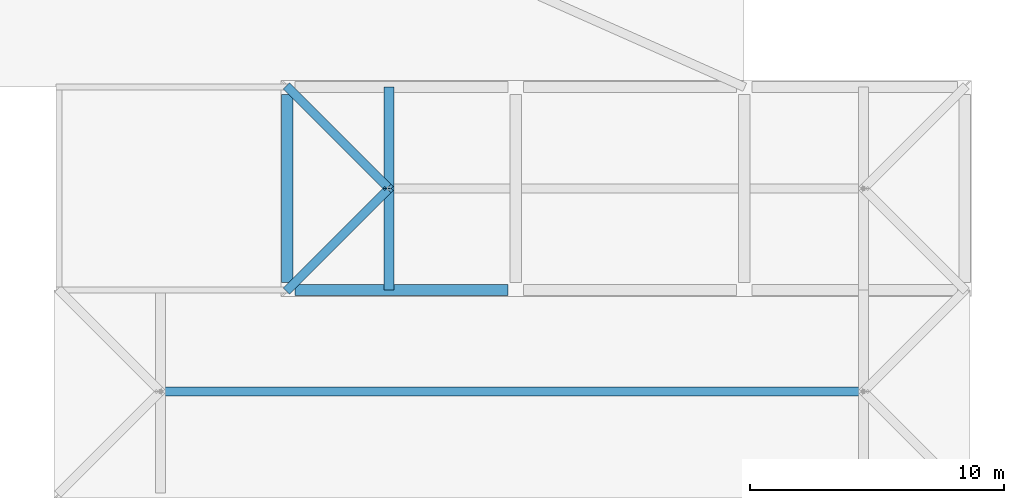
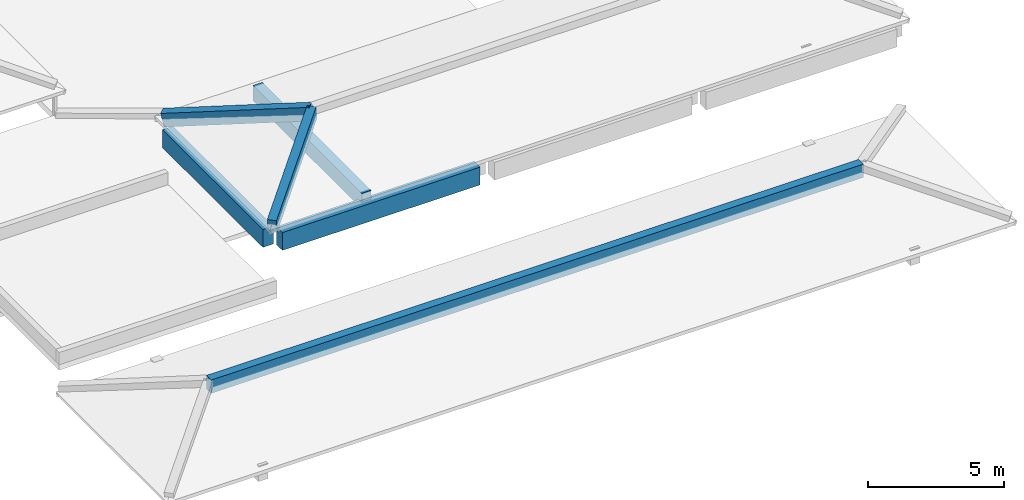
# One storey, part 9 of 56: 6 beams.
"""IFC4 building model written with IfcOpenShell, lengths in metres."""

from ifc_helpers import new_model, si_unit, direction, frame, origin, origin_2d, place, context, subcontext, project, spatial, rectangle, extrude, material, material_profile, profile_set, type_object, element, save


model = new_model("IFC4")

# Units and contexts
model_context = context("Model", 3, precision=1e-05, world=origin(), true_north=direction((0.0, 1.0)))
body_context = subcontext(model_context, "Body", "Model", "MODEL_VIEW")
ifc_project = project(units=[si_unit("LENGTHUNIT", "METRE"), si_unit("AREAUNIT", "SQUARE_METRE"), si_unit("VOLUMEUNIT", "CUBIC_METRE"), si_unit("PLANEANGLEUNIT", "RADIAN"), si_unit("MASSUNIT", "GRAM", prefix="KILO")], contexts=[model_context])

# Site, building, storey
site_placement = place(None, origin())
site = spatial("IfcSite", under=ifc_project, at=site_placement, CompositionType="ELEMENT")
building_placement = place(site_placement, origin())
building = spatial("IfcBuilding", under=site, at=building_placement, Name="Zacnel Wholesale Market", CompositionType="ELEMENT")
storey_placement = place(building_placement, frame((0.0, 0.0, 20.300048828125)))
storey = spatial("IfcBuildingStorey", under=building, at=storey_placement, Name="RF", CompositionType="ELEMENT", Elevation=20.300048828125)

# Beams
ifc_material_1 = material(Name="Concrete C40/50", Category="concrete")
ifc_material_profile_1 = material_profile(ifc_material_1, rectangle(XDim=0.35009765625, YDim=0.60009765625, at=origin_2d()), Name="ARCH RIB 350x600")
ifc_profile_set_1 = profile_set([ifc_material_profile_1], Name="Concrete C40/50")
beam_type_1 = type_object("IfcBeamType", Name="BM-AR600", PredefinedType="USERDEFINED", material=ifc_profile_set_1)
beam_1_placement = place(storey_placement, frame((112.0, 12.0, -3.27001953125), z_axis=(1.0, 0.0, 0.0), x_axis=(0.0, 1.0, 0.0)))
element("IfcBeam", 1, at=beam_1_placement, inside=storey, type_object=beam_type_1, Name="Hipped crown ridge STR-ROOF-V4E-SOUTH", ObjectType="ARCH RIB", PredefinedType="USERDEFINED", context=body_context, shape_type="SweptSolid", body=[
    extrude(rectangle(XDim=0.35009765625, YDim=0.60009765625, at=origin_2d()), origin(), (0.0, 0.0, 1.0), 27.699951171875),
])
for number, where, z_axis, x_axis, name in (
    (2, (117.0, 16.0, -0.320068359375), (0.689141918443, 0.689141918443, 0.223979535871), (-0.707106781187, 0.707106781187, 0.0), "Hipped crown rib STR-ROOF-V4E-TOP-1"),
    (3, (117.0, 24.0, -0.320068359375), (0.689141918443, -0.689141918443, 0.223979535871), (0.707106781187, 0.707106781187, 0.0), "Hipped crown rib STR-ROOF-V4E-TOP-4"),
):
    element("IfcBeam", number, at=place(storey_placement, frame(where, z_axis=z_axis, x_axis=x_axis)), inside=storey, type_object=beam_type_1, Name=name, ObjectType="ARCH RIB", PredefinedType="USERDEFINED", context=body_context, shape_type="SweptSolid", body=[
        extrude(rectangle(XDim=0.35009765625, YDim=0.60009765625, at=origin_2d()), origin(), (0.0, 0.0, 1.0), 5.80419921875),
    ])
ifc_material_2 = material(Name="Precast concrete C45/55", Category="concrete")
ifc_material_profile_2 = material_profile(ifc_material_2, rectangle(XDim=0.39990234375, YDim=0.699951171875, at=origin_2d()), Name="PG 400x700")
ifc_profile_set_2 = profile_set([ifc_material_profile_2], Name="Precast concrete C45/55")
beam_type_2 = type_object("IfcBeamType", Name="BM-PG700", PredefinedType="BEAM", material=ifc_profile_set_2)
beam_2_placement = place(storey_placement, frame((121.0, 16.0, -0.550048828125), z_axis=(0.0, 1.0, 0.0), x_axis=(-1.0, 0.0, 0.0)))
element("IfcBeam", 4, at=beam_2_placement, inside=storey, type_object=beam_type_2, Name="Hipped crown tie beam STR-ROOF-V4E-TOP-1", PredefinedType="BEAM", context=body_context, shape_type="SweptSolid", body=[
    extrude(rectangle(XDim=0.39990234375, YDim=0.699951171875, at=origin_2d()), origin(), (0.0, 0.0, 1.0), 8.0),
])
ifc_material_3 = material(Name="Precast concrete C45/55", Category="concrete")
ifc_material_profile_3 = material_profile(ifc_material_3, rectangle(XDim=0.449951171875, YDim=0.800048828125, at=origin_2d()), Name="PG 450x800")
ifc_profile_set_3 = profile_set([ifc_material_profile_3], Name="Precast concrete C45/55")
beam_type_3 = type_object("IfcBeamType", Name="BM-PG800", PredefinedType="BEAM", material=ifc_profile_set_3)
beam_3_placement = place(storey_placement, frame((117.300048828125, 16.0, -1.0), z_axis=(1.0, 0.0, 0.0), x_axis=(0.0, 1.0, 0.0)))
element("IfcBeam", 5, at=beam_3_placement, inside=storey, type_object=beam_type_3, Name="Precast wing girder X V4EL4-001", PredefinedType="BEAM", context=body_context, shape_type="SweptSolid", body=[
    extrude(rectangle(XDim=0.449951171875, YDim=0.800048828125, at=origin_2d()), origin(), (0.0, 0.0, 1.0), 8.39990234375),
])
beam_4_placement = place(storey_placement, frame((117.0, 16.300048828125, -1.0), z_axis=(0.0, 1.0, 0.0), x_axis=(-1.0, 0.0, 0.0)))
element("IfcBeam", 6, at=beam_4_placement, inside=storey, type_object=beam_type_3, Name="Precast wing girder Y V4EL4-007", PredefinedType="BEAM", context=body_context, shape_type="SweptSolid", body=[
    extrude(rectangle(XDim=0.449951171875, YDim=0.800048828125, at=origin_2d()), origin(), (0.0, 0.0, 1.0), 7.39990234375),
])

save(model, "model.ifc")
